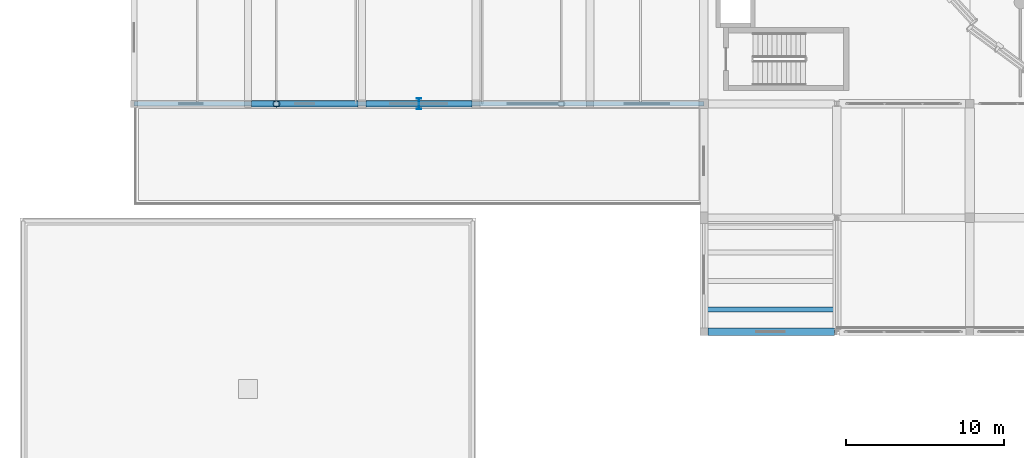
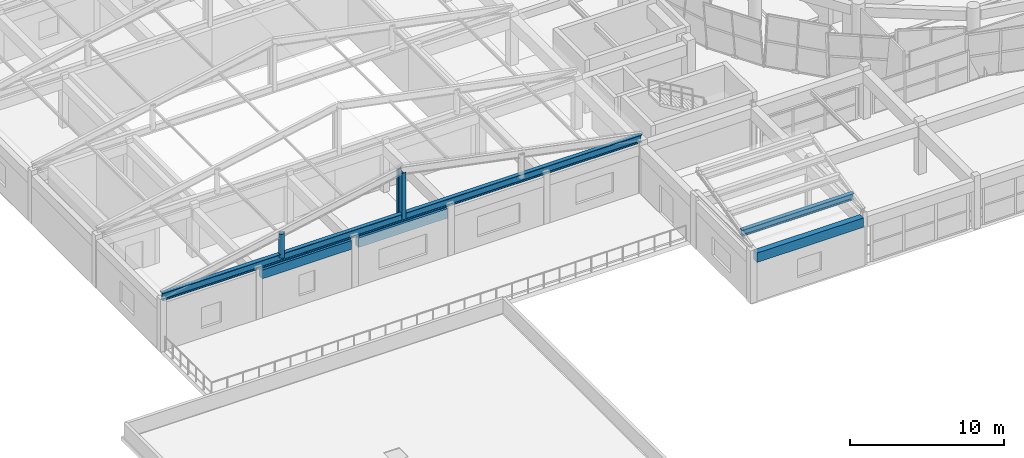
# One storey, part 6 of 74: 4 members, 3 beams.
"""IFC4 building model written with IfcOpenShell, lengths in metres."""

from ifc_helpers import new_model, si_unit, direction, frame, origin, origin_2d, place, context, subcontext, project, spatial, rectangle, hollow_circle, i_section, extrude, material, material_profile, profile_set, type_object, element, save


model = new_model("IFC4")

# Units and contexts
model_context = context("Model", 3, precision=1e-05, world=origin(), true_north=direction((0.0, 1.0)))
body_context = subcontext(model_context, "Body", "Model", "MODEL_VIEW")
ifc_project = project(units=[si_unit("LENGTHUNIT", "METRE"), si_unit("AREAUNIT", "SQUARE_METRE"), si_unit("VOLUMEUNIT", "CUBIC_METRE"), si_unit("PLANEANGLEUNIT", "RADIAN"), si_unit("MASSUNIT", "GRAM", prefix="KILO")], contexts=[model_context])

# Site, building, storey
site_placement = place(None, origin())
site = spatial("IfcSite", under=ifc_project, at=site_placement, CompositionType="ELEMENT")
building_placement = place(site_placement, origin())
building = spatial("IfcBuilding", under=site, at=building_placement, Name="Korsvaeld Concert Hall", CompositionType="ELEMENT")
storey_placement = place(building_placement, frame((0.0, 0.0, 9.0)))
storey = spatial("IfcBuildingStorey", under=building, at=storey_placement, Name="L02", CompositionType="ELEMENT", Elevation=9.0)

# Beams
ifc_material_1 = material(Name="Concrete C35/45", Category="concrete")
ifc_material_profile_1 = material_profile(ifc_material_1, rectangle(XDim=0.39990234375, YDim=0.699951171875, at=origin_2d()), Name="RC 400x700")
ifc_profile_set_1 = profile_set([ifc_material_profile_1], Name="Concrete C35/45")
beam_type_1 = type_object("IfcBeamType", Name="BM-RC-400x700", PredefinedType="T_BEAM", material=ifc_profile_set_1)
beam_1_placement = place(storey_placement, frame((21.824951171875, 43.199951171875, 3.489990234375), z_axis=(1.0, 0.0, 0.0), x_axis=(0.0, 1.0, 0.0)))
element("IfcBeam", 1, at=beam_1_placement, inside=storey, type_object=beam_type_1, Name="Primary girder 4-5/G L02", PredefinedType="T_BEAM", context=body_context, shape_type="SweptSolid", body=[
    extrude(rectangle(XDim=0.39990234375, YDim=0.699951171875, at=origin_2d()), origin(), (0.0, 0.0, 1.0), 6.72509765625),
])
ifc_material_profile_2 = material_profile(ifc_material_1, rectangle(XDim=0.39990234375, YDim=0.75, at=origin_2d()), Name="RC 400x750")
ifc_profile_set_2 = profile_set([ifc_material_profile_2], Name="Concrete C35/45")
beam_type_2 = type_object("IfcBeamType", Name="BM-RC-400x750", PredefinedType="T_BEAM", material=ifc_profile_set_2)
beam_2_placement = place(storey_placement, frame((29.050048828125, 43.199951171875, 3.465087890625), z_axis=(1.0, 0.0, 0.0), x_axis=(0.0, 1.0, 0.0)))
element("IfcBeam", 2, at=beam_2_placement, inside=storey, type_object=beam_type_2, Name="Primary girder 5-6/G L02", PredefinedType="T_BEAM", context=body_context, shape_type="SweptSolid", body=[
    extrude(rectangle(XDim=0.39990234375, YDim=0.75, at=origin_2d()), origin(), (0.0, 0.0, 1.0), 6.699951171875),
])
ifc_material_profile_3 = material_profile(ifc_material_1, rectangle(XDim=0.449951171875, YDim=0.75, at=origin_2d()), Name="RC 450x750")
ifc_profile_set_3 = profile_set([ifc_material_profile_3], Name="Concrete C35/45")
beam_type_3 = type_object("IfcBeamType", Name="BM-RC-450x750", PredefinedType="T_BEAM", material=ifc_profile_set_3)
beam_3_placement = place(storey_placement, frame((50.64990234375, 28.800048828125, 3.465087890625), z_axis=(1.0, 0.0, 0.0), x_axis=(0.0, 1.0, 0.0)))
element("IfcBeam", 3, at=beam_3_placement, inside=storey, type_object=beam_type_3, Name="Primary girder 8-9/E L02", PredefinedType="T_BEAM", context=body_context, shape_type="SweptSolid", body=[
    extrude(rectangle(XDim=0.449951171875, YDim=0.75, at=origin_2d()), origin(), (0.0, 0.0, 1.0), 8.0),
])

# Members
ifc_material_2 = material(Name="Steel S355J2", Category="steel")
ifc_material_profile_4 = material_profile(ifc_material_2, i_section(OverallWidth=0.300048828125, OverallDepth=0.489990234375, WebThickness=0.011962890625, FlangeThickness=0.02294921875, FilletRadius=0.027099609375, at=origin_2d()), Name="HEA 500")
ifc_profile_set_4 = profile_set([ifc_material_profile_4], Name="Steel S355J2")
member_type_1 = type_object("IfcMemberType", Name="MEM-CHD-HEA500", PredefinedType="CHORD", material=ifc_profile_set_4)
member_1_placement = place(storey_placement, frame((50.39990234375, 30.199951171875, 4.59033203125), z_axis=(1.0, 0.0, 0.0), x_axis=(0.0, 1.0, 0.0)))
element("IfcMember", 4, at=member_1_placement, inside=storey, type_object=member_type_1, Name="Wintergarden skylight portal beam 302", PredefinedType="CHORD", context=body_context, shape_type="SweptSolid", body=[
    extrude(i_section(OverallWidth=0.300048828125, OverallDepth=0.489990234375, WebThickness=0.011962890625, FlangeThickness=0.02294921875, FilletRadius=0.027099609375, at=origin_2d()), origin(), (0.0, 0.0, 1.0), 8.400146484375),
])
ifc_material_profile_5 = material_profile(ifc_material_2, i_section(OverallWidth=0.300048828125, OverallDepth=0.60009765625, WebThickness=0.015380859375, FlangeThickness=0.030029296875, FilletRadius=0.027099609375, at=origin_2d()), Name="HEB 600")
ifc_profile_set_5 = profile_set([ifc_material_profile_5], Name="Steel S355J2")
member_type_2 = type_object("IfcMemberType", Name="MEM-CHD-HEB600", PredefinedType="CHORD", material=ifc_profile_set_5)
member_2_placement = place(storey_placement, frame((14.39990234375, 43.199951171875, 4.25), z_axis=(1.0, 0.0, 0.0), x_axis=(0.0, 1.0, 0.0)))
element("IfcMember", 5, at=member_2_placement, inside=storey, type_object=member_type_2, Name="Orchestra Rehearsal clear-span truss bottom chord 1", PredefinedType="CHORD", context=body_context, shape_type="SweptSolid", body=[
    extrude(i_section(OverallWidth=0.300048828125, OverallDepth=0.60009765625, WebThickness=0.015380859375, FlangeThickness=0.030029296875, FilletRadius=0.027099609375, at=origin_2d()), origin(), (0.0, 0.0, 1.0), 36.0),
])
ifc_material_profile_6 = material_profile(ifc_material_2, i_section(OverallWidth=0.300048828125, OverallDepth=0.699951171875, WebThickness=0.01708984375, FlangeThickness=0.031982421875, FilletRadius=0.027099609375, at=origin_2d()), Name="HEB 700")
ifc_profile_set_6 = profile_set([ifc_material_profile_6], Name="Steel S355J2")
member_type_3 = type_object("IfcMemberType", Name="MEM-CHD-HEB700", PredefinedType="CHORD", material=ifc_profile_set_6)
member_3_placement = place(storey_placement, frame((32.39990234375, 43.199951171875, 4.25), z_axis=(0.0, 0.0, 1.0), x_axis=(1.0, 0.0, 0.0)))
element("IfcMember", 6, at=member_3_placement, inside=storey, type_object=member_type_3, Name="Orchestra Rehearsal truss web 1.32", PredefinedType="CHORD", context=body_context, shape_type="SweptSolid", body=[
    extrude(i_section(OverallWidth=0.300048828125, OverallDepth=0.699951171875, WebThickness=0.01708984375, FlangeThickness=0.031982421875, FilletRadius=0.027099609375, at=origin_2d()), origin(), (0.0, 0.0, 1.0), 3.699951171875),
])
ifc_material_profile_7 = material_profile(ifc_material_2, hollow_circle(Radius=0.203125, WallThickness=0.01611328125, at=origin_2d()), Name="CHS 406.4x16")
ifc_profile_set_7 = profile_set([ifc_material_profile_7], Name="Steel S355J2")
member_type_4 = type_object("IfcMemberType", Name="MEM-STR-CHS406", PredefinedType="STRUT", material=ifc_profile_set_7)
member_4_placement = place(storey_placement, frame((23.39990234375, 43.199951171875, 4.25), z_axis=(0.0, 0.0, 1.0), x_axis=(1.0, 0.0, 0.0)))
element("IfcMember", 7, at=member_4_placement, inside=storey, type_object=member_type_4, Name="Orchestra Rehearsal truss web 1.23", PredefinedType="STRUT", context=body_context, shape_type="SweptSolid", body=[
    extrude(hollow_circle(Radius=0.203125, WallThickness=0.01611328125, at=origin_2d()), origin(), (0.0, 0.0, 1.0), 1.89990234375),
])

save(model, "model.ifc")
